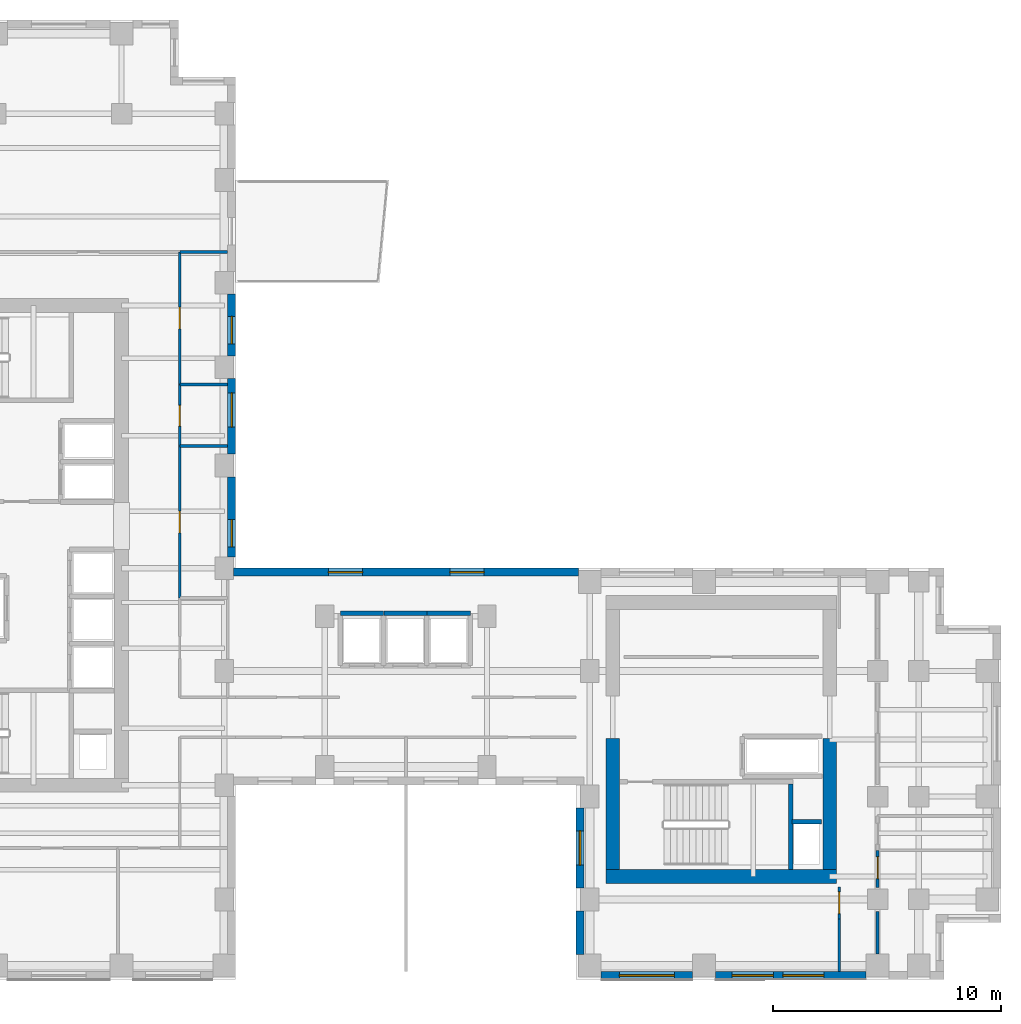
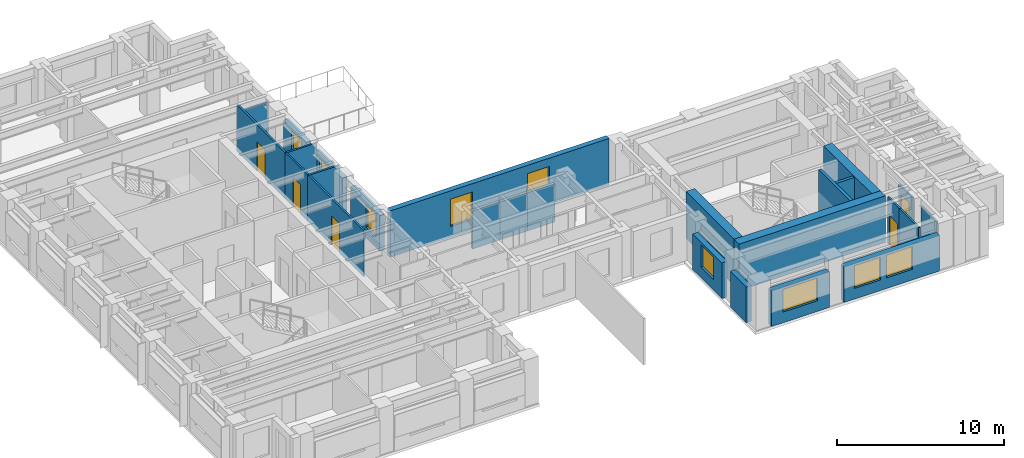
# One storey, part 6 of 10: 26 walls, 9 windows, 5 doors, 14 openings.
"""IFC4 building model written with IfcOpenShell, lengths in metres."""

from ifc_helpers import new_model, si_unit, direction, frame, frame_2d, origin, place, context, subcontext, project, spatial, rectangle, extrude, source, transform, mapped, material, layer, layer_set, type_object, element, fill, save


model = new_model("IFC4")

# Units and contexts
model_context = context("Model", 3, precision=1e-05, world=origin(), true_north=direction((0.0, 1.0)))
body_context = subcontext(model_context, "Body", "Model", "MODEL_VIEW")
ifc_project = project(units=[si_unit("LENGTHUNIT", "METRE"), si_unit("AREAUNIT", "SQUARE_METRE"), si_unit("VOLUMEUNIT", "CUBIC_METRE"), si_unit("PLANEANGLEUNIT", "RADIAN"), si_unit("MASSUNIT", "GRAM", prefix="KILO")], contexts=[model_context])

# Site, building, storey
site_placement = place(None, origin())
site = spatial("IfcSite", under=ifc_project, at=site_placement, CompositionType="ELEMENT")
building_placement = place(site_placement, origin())
building = spatial("IfcBuilding", under=site, at=building_placement, Name="Kharzan Plaza Tower", CompositionType="ELEMENT")
storey_placement = place(building_placement, frame((0.0, 0.0, 157.5)))
storey = spatial("IfcBuildingStorey", under=building, at=storey_placement, Name="L42", CompositionType="ELEMENT", Elevation=157.5)

# Wall, opening, window
ifc_material_1 = material(Name="Concrete C40/50", Category="concrete")
ifc_layer_1 = layer(ifc_material_1, 0.35009765625)
ifc_layer_set_1 = layer_set([ifc_layer_1], Name="Concrete C40/50")
wall_type_1 = type_object("IfcWallType", Name="WL-EXT-MAS-Z3", PredefinedType="SOLIDWALL", material=ifc_layer_set_1)
wall_1_placement = place(storey_placement, frame((34.574951171875, 7.501953125, 0.0), z_axis=(0.0, 0.0, 1.0), x_axis=(0.0, -1.0, 0.0)))
wall_1 = element("IfcWall", 1, at=wall_1_placement, inside=storey, type_object=wall_type_1, Name="L42 Masonry-Frame Exterior Wall 29", PredefinedType="SOLIDWALL", context=body_context, shape_type="SweptSolid", body=[
    extrude(rectangle(XDim=3.50390625, YDim=0.35009765625, at=frame_2d((1.751953125, 0.0))), origin(), (0.0, 0.0, 1.0), 2.612060546875),
])
opening_1_placement = place(wall_1_placement, frame((1.001953125, 0.0, 0.780029296875)))
opening_1 = element("IfcOpeningElement", 2, at=opening_1_placement, cuts=wall_1, Name="Opening W5", PredefinedType="OPENING", context=body_context, shape_type="SweptSolid", body=[
    extrude(rectangle(XDim=1.5, YDim=1.652099609375, at=frame_2d((0.75, 0.826171875))), frame((0.0, 0.18505859375, 0.0), z_axis=(0.0, -1.0, 0.0), x_axis=(1.0, 0.0, 0.0)), (0.0, 0.0, 1.0), 0.3701171875),
])
ifc_material_2 = material(Name="Low-E Double Glazing", Category="glass")
window_type_1 = type_object("IfcWindowType", Name="WN-SLT-1500x2000", PartitioningType="SINGLE_PANEL", PredefinedType="WINDOW", material=ifc_material_2)
shared_shape_1 = source(origin(), body_context, "Body", "SweptSolid", [
    extrude(rectangle(XDim=1.5, YDim=1.652099609375, at=frame_2d((0.75, 0.826171875))), frame((0.0, 0.030029296875, 0.0), z_axis=(0.0, -1.0, 0.0), x_axis=(1.0, 0.0, 0.0)), (0.0, 0.0, 1.0), 0.06005859375),
])
window_1_placement = place(opening_1_placement, origin())
window_1 = element("IfcWindow", 3, at=window_1_placement, inside=storey, type_object=window_type_1, Name="L42 Recessed Solar-Control Window 29-1", OverallHeight=1.652099609375, OverallWidth=1.5, PartitioningType="SINGLE_PANEL", PredefinedType="WINDOW", context=body_context, shape_type="MappedRepresentation", body=[
    mapped(shared_shape_1, transform((0.0, 0.0, 0.0), x_axis=(1.0, 0.0, 0.0), y_axis=(0.0, 1.0, 0.0), z_axis=(0.0, 0.0, 1.0))),
])
fill(opening_1, window_1)

wall_2_placement = place(storey_placement, frame((35.498046875, 0.175048828125, 0.0), z_axis=(0.0, 0.0, 1.0), x_axis=(1.0, 0.0, 0.0)))
wall_2 = element("IfcWall", 4, at=wall_2_placement, inside=storey, type_object=wall_type_1, Name="L42 Masonry-Frame Exterior Wall 31", PredefinedType="SOLIDWALL", context=body_context, shape_type="SweptSolid", body=[
    extrude(rectangle(XDim=4.00390625, YDim=0.35009765625, at=frame_2d((2.001953125, 0.0))), origin(), (0.0, 0.0, 1.0), 2.612060546875),
])
opening_2_placement = place(wall_2_placement, frame((0.802001953125, 0.0, 0.780029296875)))
opening_2 = element("IfcOpeningElement", 5, at=opening_2_placement, cuts=wall_2, Name="Opening W2", PredefinedType="OPENING", context=body_context, shape_type="SweptSolid", body=[
    extrude(rectangle(XDim=2.39990234375, YDim=1.652099609375, at=frame_2d((1.199951171875, 0.826171875))), frame((0.0, 0.18505859375, 0.0), z_axis=(0.0, -1.0, 0.0), x_axis=(1.0, 0.0, 0.0)), (0.0, 0.0, 1.0), 0.3701171875),
])
window_type_2 = type_object("IfcWindowType", Name="WN-REC-2400x2100", PartitioningType="SINGLE_PANEL", PredefinedType="WINDOW", material=ifc_material_2)
shared_shape_2 = source(origin(), body_context, "Body", "SweptSolid", [
    extrude(rectangle(XDim=2.39990234375, YDim=1.652099609375, at=frame_2d((1.199951171875, 0.826171875))), frame((0.0, 0.030029296875, 0.0), z_axis=(0.0, -1.0, 0.0), x_axis=(1.0, 0.0, 0.0)), (0.0, 0.0, 1.0), 0.06005859375),
])
window_2_placement = place(opening_2_placement, origin())
window_2 = element("IfcWindow", 6, at=window_2_placement, inside=storey, type_object=window_type_2, Name="L42 Wide Recessed Solar-Control Window 31-1", OverallHeight=1.652099609375, OverallWidth=2.39990234375, PartitioningType="SINGLE_PANEL", PredefinedType="WINDOW", context=body_context, shape_type="MappedRepresentation", body=[
    mapped(shared_shape_2, transform((0.0, 0.0, 0.0), x_axis=(1.0, 0.0, 0.0), y_axis=(0.0, 1.0, 0.0), z_axis=(0.0, 0.0, 1.0))),
])
fill(opening_2, window_2)

# Wall, openings, windows
wall_3_placement = place(storey_placement, frame((40.498046875, 0.175048828125, 0.0), z_axis=(0.0, 0.0, 1.0), x_axis=(1.0, 0.0, 0.0)))
wall_3 = element("IfcWall", 7, at=wall_3_placement, inside=storey, type_object=wall_type_1, Name="L42 Masonry-Frame Exterior Wall 32", PredefinedType="SOLIDWALL", context=body_context, shape_type="SweptSolid", body=[
    extrude(rectangle(XDim=6.60400390625, YDim=0.35009765625, at=frame_2d((3.302001953125, 0.0))), origin(), (0.0, 0.0, 1.0), 2.612060546875),
])
opening_3_placement = place(wall_3_placement, frame((0.7373046875, 0.0, 0.780029296875)))
opening_3 = element("IfcOpeningElement", 8, at=opening_3_placement, cuts=wall_3, Name="Opening W1", PredefinedType="OPENING", context=body_context, shape_type="SweptSolid", body=[
    extrude(rectangle(XDim=1.800048828125, YDim=1.652099609375, at=frame_2d((0.89990234375, 0.826171875))), frame((0.0, 0.18505859375, 0.0), z_axis=(0.0, -1.0, 0.0), x_axis=(1.0, 0.0, 0.0)), (0.0, 0.0, 1.0), 0.3701171875),
])
opening_4_placement = place(wall_3_placement, frame((2.95458984375, 0.0, 0.780029296875)))
opening_4 = element("IfcOpeningElement", 9, at=opening_4_placement, cuts=wall_3, Name="Opening W1", PredefinedType="OPENING", context=body_context, shape_type="SweptSolid", body=[
    extrude(rectangle(XDim=1.800048828125, YDim=1.652099609375, at=frame_2d((0.89990234375, 0.826171875))), frame((0.0, 0.18505859375, 0.0), z_axis=(0.0, -1.0, 0.0), x_axis=(1.0, 0.0, 0.0)), (0.0, 0.0, 1.0), 0.3701171875),
])
window_type_3 = type_object("IfcWindowType", Name="WN-REC-1800x2100", PartitioningType="SINGLE_PANEL", PredefinedType="WINDOW", material=ifc_material_2)
shared_shape_3 = source(origin(), body_context, "Body", "SweptSolid", [
    extrude(rectangle(XDim=1.800048828125, YDim=1.652099609375, at=frame_2d((0.89990234375, 0.826171875))), frame((0.0, 0.030029296875, 0.0), z_axis=(0.0, -1.0, 0.0), x_axis=(1.0, 0.0, 0.0)), (0.0, 0.0, 1.0), 0.06005859375),
])
window_3_placement = place(opening_3_placement, origin())
window_3 = element("IfcWindow", 10, at=window_3_placement, inside=storey, type_object=window_type_3, Name="L42 Recessed Solar-Control Window 32-1", OverallHeight=1.652099609375, OverallWidth=1.800048828125, PartitioningType="SINGLE_PANEL", PredefinedType="WINDOW", context=body_context, shape_type="MappedRepresentation", body=[
    mapped(shared_shape_3, transform((0.0, 0.0, 0.0), x_axis=(1.0, 0.0, 0.0), y_axis=(0.0, 1.0, 0.0), z_axis=(0.0, 0.0, 1.0))),
])
fill(opening_3, window_3)
window_4_placement = place(opening_4_placement, origin())
window_4 = element("IfcWindow", 11, at=window_4_placement, inside=storey, type_object=window_type_3, Name="L42 Recessed Solar-Control Window 32-2", OverallHeight=1.652099609375, OverallWidth=1.800048828125, PartitioningType="SINGLE_PANEL", PredefinedType="WINDOW", context=body_context, shape_type="MappedRepresentation", body=[
    mapped(shared_shape_3, transform((0.0, 0.0, 0.0), x_axis=(1.0, 0.0, 0.0), y_axis=(0.0, 1.0, 0.0), z_axis=(0.0, 0.0, 1.0))),
])
fill(opening_4, window_4)

wall_4_placement = place(storey_placement, frame((34.501953125, 17.824951171875, 0.0), z_axis=(0.0, 0.0, 1.0), x_axis=(-1.0, 0.0, 0.0)))
wall_4 = element("IfcWall", 12, at=wall_4_placement, inside=storey, type_object=wall_type_1, Name="L42 Masonry-Frame Exterior Wall 46", PredefinedType="SOLIDWALL", context=body_context, shape_type="SweptSolid", body=[
    extrude(rectangle(XDim=15.10400390625, YDim=0.35009765625, at=frame_2d((7.552001953125, 0.0))), origin(), (0.0, 0.0, 1.0), 3.385009765625),
])
opening_5_placement = place(wall_4_placement, frame((4.131103515625, 0.0, 0.780029296875)))
opening_5 = element("IfcOpeningElement", 13, at=opening_5_placement, cuts=wall_4, Name="Opening W5", PredefinedType="OPENING", context=body_context, shape_type="SweptSolid", body=[
    extrude(rectangle(XDim=1.5, YDim=2.0, at=frame_2d((0.75, 1.0))), frame((0.0, 0.18505859375, 0.0), z_axis=(0.0, -1.0, 0.0), x_axis=(1.0, 0.0, 0.0)), (0.0, 0.0, 1.0), 0.3701171875),
])
opening_6_placement = place(wall_4_placement, frame((9.4423828125, 0.0, 0.780029296875)))
opening_6 = element("IfcOpeningElement", 14, at=opening_6_placement, cuts=wall_4, Name="Opening W5", PredefinedType="OPENING", context=body_context, shape_type="SweptSolid", body=[
    extrude(rectangle(XDim=1.5, YDim=2.0, at=frame_2d((0.75, 1.0))), frame((0.0, 0.18505859375, 0.0), z_axis=(0.0, -1.0, 0.0), x_axis=(1.0, 0.0, 0.0)), (0.0, 0.0, 1.0), 0.3701171875),
])
shared_shape_4 = source(origin(), body_context, "Body", "SweptSolid", [
    extrude(rectangle(XDim=1.5, YDim=2.0, at=frame_2d((0.75, 1.0))), frame((0.0, 0.030029296875, 0.0), z_axis=(0.0, -1.0, 0.0), x_axis=(1.0, 0.0, 0.0)), (0.0, 0.0, 1.0), 0.06005859375),
])
window_5_placement = place(opening_5_placement, origin())
window_5 = element("IfcWindow", 15, at=window_5_placement, inside=storey, type_object=window_type_1, Name="L42 Recessed Solar-Control Window 46-1", OverallHeight=2.0, OverallWidth=1.5, PartitioningType="SINGLE_PANEL", PredefinedType="WINDOW", context=body_context, shape_type="MappedRepresentation", body=[
    mapped(shared_shape_4, transform((0.0, 0.0, 0.0), x_axis=(1.0, 0.0, 0.0), y_axis=(0.0, 1.0, 0.0), z_axis=(0.0, 0.0, 1.0))),
])
fill(opening_5, window_5)
window_6_placement = place(opening_6_placement, origin())
window_6 = element("IfcWindow", 16, at=window_6_placement, inside=storey, type_object=window_type_1, Name="L42 Recessed Solar-Control Window 46-2", OverallHeight=2.0, OverallWidth=1.5, PartitioningType="SINGLE_PANEL", PredefinedType="WINDOW", context=body_context, shape_type="MappedRepresentation", body=[
    mapped(shared_shape_4, transform((0.0, 0.0, 0.0), x_axis=(1.0, 0.0, 0.0), y_axis=(0.0, 1.0, 0.0), z_axis=(0.0, 0.0, 1.0))),
])
fill(opening_6, window_6)

# Wall, opening, window
wall_5_placement = place(storey_placement, frame((19.324951171875, 18.498046875, 0.0), z_axis=(0.0, 0.0, 1.0), x_axis=(0.0, 1.0, 0.0)))
wall_5 = element("IfcWall", 17, at=wall_5_placement, inside=storey, type_object=wall_type_1, Name="L42 Masonry-Frame Exterior Wall 47", PredefinedType="SOLIDWALL", context=body_context, shape_type="SweptSolid", body=[
    extrude(rectangle(XDim=3.50390625, YDim=0.35009765625, at=frame_2d((1.751953125, 0.0))), origin(), (0.0, 0.0, 1.0), 2.612060546875),
])
opening_7_placement = place(wall_5_placement, frame((0.4326171875, 0.0, 0.780029296875)))
opening_7 = element("IfcOpeningElement", 18, at=opening_7_placement, cuts=wall_5, Name="Opening W3", PredefinedType="OPENING", context=body_context, shape_type="SweptSolid", body=[
    extrude(rectangle(XDim=1.199951171875, YDim=1.652099609375, at=frame_2d((0.60009765625, 0.826171875))), frame((0.0, 0.18505859375, 0.0), z_axis=(0.0, -1.0, 0.0), x_axis=(1.0, 0.0, 0.0)), (0.0, 0.0, 1.0), 0.3701171875),
])
window_type_4 = type_object("IfcWindowType", Name="WN-REC-1200x2100", PartitioningType="SINGLE_PANEL", PredefinedType="WINDOW", material=ifc_material_2)
shared_shape_5 = source(origin(), body_context, "Body", "SweptSolid", [
    extrude(rectangle(XDim=1.199951171875, YDim=1.652099609375, at=frame_2d((0.60009765625, 0.826171875))), frame((0.0, 0.030029296875, 0.0), z_axis=(0.0, -1.0, 0.0), x_axis=(1.0, 0.0, 0.0)), (0.0, 0.0, 1.0), 0.06005859375),
])
window_7_placement = place(opening_7_placement, origin())
window_7 = element("IfcWindow", 19, at=window_7_placement, inside=storey, type_object=window_type_4, Name="L42 Recessed Solar-Control Window 47-1", OverallHeight=1.652099609375, OverallWidth=1.199951171875, PartitioningType="SINGLE_PANEL", PredefinedType="WINDOW", context=body_context, shape_type="MappedRepresentation", body=[
    mapped(shared_shape_5, transform((0.0, 0.0, 0.0), x_axis=(1.0, 0.0, 0.0), y_axis=(0.0, 1.0, 0.0), z_axis=(0.0, 0.0, 1.0))),
])
fill(opening_7, window_7)

wall_6_placement = place(storey_placement, frame((19.324951171875, 22.998046875, 0.0), z_axis=(0.0, 0.0, 1.0), x_axis=(0.0, 1.0, 0.0)))
wall_6 = element("IfcWall", 20, at=wall_6_placement, inside=storey, type_object=wall_type_1, Name="L42 Masonry-Frame Exterior Wall 48", PredefinedType="SOLIDWALL", context=body_context, shape_type="SweptSolid", body=[
    extrude(rectangle(XDim=3.303955078125, YDim=0.35009765625, at=frame_2d((1.65185546875, 0.0))), origin(), (0.0, 0.0, 1.0), 2.612060546875),
])
opening_8_placement = place(wall_6_placement, frame((1.180419921875, 0.0, 0.780029296875)))
opening_8 = element("IfcOpeningElement", 21, at=opening_8_placement, cuts=wall_6, Name="Opening W5", PredefinedType="OPENING", context=body_context, shape_type="SweptSolid", body=[
    extrude(rectangle(XDim=1.5, YDim=1.652099609375, at=frame_2d((0.75, 0.826171875))), frame((0.0, 0.18505859375, 0.0), z_axis=(0.0, -1.0, 0.0), x_axis=(1.0, 0.0, 0.0)), (0.0, 0.0, 1.0), 0.3701171875),
])
window_8_placement = place(opening_8_placement, origin())
window_8 = element("IfcWindow", 22, at=window_8_placement, inside=storey, type_object=window_type_1, Name="L42 Recessed Solar-Control Window 48-1", OverallHeight=1.652099609375, OverallWidth=1.5, PartitioningType="SINGLE_PANEL", PredefinedType="WINDOW", context=body_context, shape_type="MappedRepresentation", body=[
    mapped(shared_shape_1, transform((0.0, 0.0, 0.0), x_axis=(1.0, 0.0, 0.0), y_axis=(0.0, 1.0, 0.0), z_axis=(0.0, 0.0, 1.0))),
])
fill(opening_8, window_8)

wall_7_placement = place(storey_placement, frame((19.324951171875, 27.298095703125, 0.0), z_axis=(0.0, 0.0, 1.0), x_axis=(0.0, 1.0, 0.0)))
wall_7 = element("IfcWall", 23, at=wall_7_placement, inside=storey, type_object=wall_type_1, Name="L42 Masonry-Frame Exterior Wall 49", PredefinedType="SOLIDWALL", context=body_context, shape_type="SweptSolid", body=[
    extrude(rectangle(XDim=2.703857421875, YDim=0.35009765625, at=frame_2d((1.35205078125, 0.0))), origin(), (0.0, 0.0, 1.0), 2.612060546875),
])
opening_9_placement = place(wall_7_placement, frame((0.523681640625, 0.0, 0.780029296875)))
opening_9 = element("IfcOpeningElement", 24, at=opening_9_placement, cuts=wall_7, Name="Opening W3", PredefinedType="OPENING", context=body_context, shape_type="SweptSolid", body=[
    extrude(rectangle(XDim=1.199951171875, YDim=1.652099609375, at=frame_2d((0.60009765625, 0.826171875))), frame((0.0, 0.18505859375, 0.0), z_axis=(0.0, -1.0, 0.0), x_axis=(1.0, 0.0, 0.0)), (0.0, 0.0, 1.0), 0.3701171875),
])
window_9_placement = place(opening_9_placement, origin())
window_9 = element("IfcWindow", 25, at=window_9_placement, inside=storey, type_object=window_type_4, Name="L42 Recessed Solar-Control Window 49-1", OverallHeight=1.652099609375, OverallWidth=1.199951171875, PartitioningType="SINGLE_PANEL", PredefinedType="WINDOW", context=body_context, shape_type="MappedRepresentation", body=[
    mapped(shared_shape_5, transform((0.0, 0.0, 0.0), x_axis=(1.0, 0.0, 0.0), y_axis=(0.0, 1.0, 0.0), z_axis=(0.0, 0.0, 1.0))),
])
fill(opening_9, window_9)

# Wall, opening, door
ifc_material_3 = material(Name="Fire-Rated Gypsum Board Partition", Category="gypsum")
ifc_layer_2 = layer(ifc_material_3, 0.125)
ifc_layer_set_2 = layer_set([ifc_layer_2], Name="Fire-Rated Gypsum Board Partition")
wall_type_2 = type_object("IfcWallType", Name="WL-INT-PART-125", PredefinedType="PARTITIONING", material=ifc_layer_set_2)
wall_8_placement = place(storey_placement, frame((17.050048828125, 16.699951171875, 0.0), z_axis=(0.0, 0.0, 1.0), x_axis=(0.0, 1.0, 0.0)))
wall_8 = element("IfcWall", 26, at=wall_8_placement, inside=storey, type_object=wall_type_2, Name="L42 Interior Partition SH-AEWN2", PredefinedType="PARTITIONING", context=body_context, shape_type="SweptSolid", body=[
    extrude(rectangle(XDim=6.650146484375, YDim=0.125, at=frame_2d((3.3251953125, 0.0))), origin(), (0.0, 0.0, 1.0), 3.385009765625),
])
opening_10_placement = place(wall_8_placement, frame((2.85009765625, 0.0, 0.0)))
opening_10 = element("IfcOpeningElement", 27, at=opening_10_placement, cuts=wall_8, Name="Opening OD1", PredefinedType="OPENING", context=body_context, shape_type="SweptSolid", body=[
    extrude(rectangle(XDim=0.949951171875, YDim=2.14990234375, at=frame_2d((0.47509765625, 1.074951171875))), frame((0.0, 0.072509765625, 0.0), z_axis=(0.0, -1.0, 0.0), x_axis=(1.0, 0.0, 0.0)), (0.0, 0.0, 1.0), 0.14501953125),
])
ifc_material_4 = material(Name="Acoustic Solid-Core Stained Oak", Category="timber")
door_type_1 = type_object("IfcDoorType", Name="DR-OFF-SINGLE", OperationType="NOTDEFINED", PredefinedType="DOOR", material=ifc_material_4)
shared_shape_6 = source(origin(), body_context, "Body", "SweptSolid", [
    extrude(rectangle(XDim=0.949951171875, YDim=2.14990234375, at=frame_2d((0.47509765625, 1.074951171875))), frame((0.0, 0.02490234375, 0.0), z_axis=(0.0, -1.0, 0.0), x_axis=(1.0, 0.0, 0.0)), (0.0, 0.0, 1.0), 0.050048828125),
])
door_1_placement = place(opening_10_placement, origin())
door_1 = element("IfcDoor", 28, at=door_1_placement, inside=storey, type_object=door_type_1, Name="L42 Slot Studio Door", OperationType="SINGLE_SWING_RIGHT", OverallHeight=2.14990234375, OverallWidth=0.949951171875, PredefinedType="DOOR", context=body_context, shape_type="MappedRepresentation", body=[
    mapped(shared_shape_6, transform((0.0, 0.0, 0.0), x_axis=(1.0, 0.0, 0.0), y_axis=(0.0, 1.0, 0.0), z_axis=(0.0, 0.0, 1.0))),
])
fill(opening_10, door_1)

wall_9_placement = place(storey_placement, frame((17.050048828125, 26.050048828125, 0.0), z_axis=(0.0, 0.0, 1.0), x_axis=(0.0, 1.0, 0.0)))
wall_9 = element("IfcWall", 29, at=wall_9_placement, inside=storey, type_object=wall_type_2, Name="L42 Interior Partition SH-AEWN3", PredefinedType="PARTITIONING", context=body_context, shape_type="SweptSolid", body=[
    extrude(rectangle(XDim=5.800048828125, YDim=0.125, at=frame_2d((2.89990234375, 0.0))), origin(), (0.0, 0.0, 1.0), 3.385009765625),
])
opening_11_placement = place(wall_9_placement, frame((2.425048828125, 0.0, 0.0)))
opening_11 = element("IfcOpeningElement", 30, at=opening_11_placement, cuts=wall_9, Name="Opening OD1", PredefinedType="OPENING", context=body_context, shape_type="SweptSolid", body=[
    extrude(rectangle(XDim=0.949951171875, YDim=2.14990234375, at=frame_2d((0.47509765625, 1.074951171875))), frame((0.0, 0.072509765625, 0.0), z_axis=(0.0, -1.0, 0.0), x_axis=(1.0, 0.0, 0.0)), (0.0, 0.0, 1.0), 0.14501953125),
])
door_2_placement = place(opening_11_placement, origin())
door_2 = element("IfcDoor", 31, at=door_2_placement, inside=storey, type_object=door_type_1, Name="L42 Staff Tea Point Door", OperationType="SINGLE_SWING_RIGHT", OverallHeight=2.14990234375, OverallWidth=0.949951171875, PredefinedType="DOOR", context=body_context, shape_type="MappedRepresentation", body=[
    mapped(shared_shape_6, transform((0.0, 0.0, 0.0), x_axis=(1.0, 0.0, 0.0), y_axis=(0.0, 1.0, 0.0), z_axis=(0.0, 0.0, 1.0))),
])
fill(opening_11, door_2)

wall_10_placement = place(storey_placement, frame((17.050048828125, 23.35009765625, 0.0), z_axis=(0.0, 0.0, 1.0), x_axis=(0.0, 1.0, 0.0)))
wall_10 = element("IfcWall", 32, at=wall_10_placement, inside=storey, type_object=wall_type_2, Name="L42 Interior Partition SH-AEWW", PredefinedType="PARTITIONING", context=body_context, shape_type="SweptSolid", body=[
    extrude(rectangle(XDim=2.699951171875, YDim=0.125, at=frame_2d((1.35009765625, 0.0))), origin(), (0.0, 0.0, 1.0), 3.385009765625),
])
opening_12_placement = place(wall_10_placement, frame((0.875, 0.0, 0.0)))
opening_12 = element("IfcOpeningElement", 33, at=opening_12_placement, cuts=wall_10, Name="Opening WD1", PredefinedType="OPENING", context=body_context, shape_type="SweptSolid", body=[
    extrude(rectangle(XDim=0.89990234375, YDim=2.14990234375, at=frame_2d((0.449951171875, 1.074951171875))), frame((0.0, 0.072509765625, 0.0), z_axis=(0.0, -1.0, 0.0), x_axis=(1.0, 0.0, 0.0)), (0.0, 0.0, 1.0), 0.14501953125),
])
ifc_material_5 = material(Name="Moisture-Resistant Fire-Rated Laminate", Category="timber")
door_type_2 = type_object("IfcDoorType", Name="DR-WC-900", OperationType="NOTDEFINED", PredefinedType="DOOR", material=ifc_material_5)
shared_shape_7 = source(origin(), body_context, "Body", "SweptSolid", [
    extrude(rectangle(XDim=0.89990234375, YDim=2.14990234375, at=frame_2d((0.449951171875, 1.074951171875))), frame((0.0, 0.02490234375, 0.0), z_axis=(0.0, -1.0, 0.0), x_axis=(1.0, 0.0, 0.0)), (0.0, 0.0, 1.0), 0.050048828125),
])
door_3_placement = place(opening_12_placement, origin())
door_3 = element("IfcDoor", 34, at=door_3_placement, inside=storey, type_object=door_type_2, Name="L42 Wing A Washroom Door", OperationType="SINGLE_SWING_LEFT", OverallHeight=2.14990234375, OverallWidth=0.89990234375, PredefinedType="DOOR", context=body_context, shape_type="MappedRepresentation", body=[
    mapped(shared_shape_7, transform((0.0, 0.0, 0.0), x_axis=(1.0, 0.0, 0.0), y_axis=(0.0, 1.0, 0.0), z_axis=(0.0, 0.0, 1.0))),
])
fill(opening_12, door_3)

wall_11_placement = place(storey_placement, frame((47.60009765625, 4.02001953125, 0.0), z_axis=(0.0, 0.0, 1.0), x_axis=(0.0, 1.0, 0.0)))
wall_11 = element("IfcWall", 35, at=wall_11_placement, inside=storey, type_object=wall_type_2, Name="L42 Interior Partition SH-B0W0", PredefinedType="PARTITIONING", context=body_context, shape_type="SweptSolid", body=[
    extrude(rectangle(XDim=1.6298828125, YDim=0.125, at=frame_2d((0.81494140625, 0.0))), origin(), (0.0, 0.0, 1.0), 2.77294921875),
])
opening_13_placement = place(wall_11_placement, frame((0.393310546875, 0.0, 0.0)))
opening_13 = element("IfcOpeningElement", 36, at=opening_13_placement, cuts=wall_11, Name="Opening OD1", PredefinedType="OPENING", context=body_context, shape_type="SweptSolid", body=[
    extrude(rectangle(XDim=0.949951171875, YDim=2.14990234375, at=frame_2d((0.47509765625, 1.074951171875))), frame((0.0, 0.072509765625, 0.0), z_axis=(0.0, -1.0, 0.0), x_axis=(1.0, 0.0, 0.0)), (0.0, 0.0, 1.0), 0.14501953125),
])
door_4_placement = place(opening_13_placement, origin())
door_4 = element("IfcDoor", 37, at=door_4_placement, inside=storey, type_object=door_type_1, Name="L42 Wing B South Office Door", OperationType="SINGLE_SWING_RIGHT", OverallHeight=2.14990234375, OverallWidth=0.949951171875, PredefinedType="DOOR", context=body_context, shape_type="MappedRepresentation", body=[
    mapped(shared_shape_6, transform((0.0, 0.0, 0.0), x_axis=(1.0, 0.0, 0.0), y_axis=(0.0, 1.0, 0.0), z_axis=(0.0, 0.0, 1.0))),
])
fill(opening_13, door_4)

wall_12_placement = place(storey_placement, frame((45.919921875, 2.64990234375, 0.0), z_axis=(0.0, 0.0, 1.0), x_axis=(0.0, 1.0, 0.0)))
wall_12 = element("IfcWall", 38, at=wall_12_placement, inside=storey, type_object=wall_type_2, Name="L42 Interior Partition SH-RBSE", PredefinedType="PARTITIONING", context=body_context, shape_type="SweptSolid", body=[
    extrude(rectangle(XDim=1.400146484375, YDim=0.125, at=frame_2d((0.7001953125, 0.0))), origin(), (0.0, 0.0, 1.0), 3.385009765625),
])
opening_14_placement = place(wall_12_placement, frame((0.22509765625, 0.0, 0.0)))
opening_14 = element("IfcOpeningElement", 39, at=opening_14_placement, cuts=wall_12, Name="Opening OD1", PredefinedType="OPENING", context=body_context, shape_type="SweptSolid", body=[
    extrude(rectangle(XDim=0.949951171875, YDim=2.14990234375, at=frame_2d((0.47509765625, 1.074951171875))), frame((0.0, 0.072509765625, 0.0), z_axis=(0.0, -1.0, 0.0), x_axis=(1.0, 0.0, 0.0)), (0.0, 0.0, 1.0), 0.14501953125),
])
door_5_placement = place(opening_14_placement, origin())
door_5 = element("IfcDoor", 40, at=door_5_placement, inside=storey, type_object=door_type_1, Name="L42 South-East Corner Office Door", OperationType="SINGLE_SWING_LEFT", OverallHeight=2.14990234375, OverallWidth=0.949951171875, PredefinedType="DOOR", context=body_context, shape_type="MappedRepresentation", body=[
    mapped(shared_shape_6, transform((0.0, 0.0, 0.0), x_axis=(1.0, 0.0, 0.0), y_axis=(0.0, 1.0, 0.0), z_axis=(0.0, 0.0, 1.0))),
])
fill(opening_14, door_5)

# Walls
ifc_material_6 = material(Name="Concrete C50/60", Category="concrete")
ifc_layer_3 = layer(ifc_material_6, 0.60009765625)
ifc_layer_set_3 = layer_set([ifc_layer_3], Name="Concrete C50/60")
wall_type_3 = type_object("IfcWallType", Name="WL-CORE-600", PredefinedType="SHEAR", material=ifc_layer_set_3)
shared_shape_8 = source(origin(), body_context, "Body", "SweptSolid", [
    extrude(rectangle(XDim=5.75, YDim=0.60009765625, at=frame_2d((2.875, 0.0))), origin(), (0.0, 0.0, 1.0), 3.39990234375),
])
for number, where, z_axis, x_axis, name in (
    (41, (45.5, 4.800048828125, 0.0), (0.0, 0.0, 1.0), (0.0, 1.0, 0.0), "L42 CORE-B east shear pier 1"),
    (42, (36.0, 4.800048828125, 0.0), (0.0, 0.0, 1.0), (0.0, 1.0, 0.0), "L42 CORE-B west shear pier 1"),
):
    element("IfcWall", number, at=place(storey_placement, frame(where, z_axis=z_axis, x_axis=x_axis)), inside=storey, type_object=wall_type_3, Name=name, PredefinedType="SHEAR", context=body_context, shape_type="MappedRepresentation", body=[
        mapped(shared_shape_8, transform((0.0, 0.0, 0.0), x_axis=(1.0, 0.0, 0.0), y_axis=(0.0, 1.0, 0.0), z_axis=(0.0, 0.0, 1.0))),
    ])
shared_shape_9 = source(origin(), body_context, "Body", "SweptSolid", [
    extrude(rectangle(XDim=10.10009765625, YDim=0.60009765625, at=frame_2d((5.050048828125, 0.0))), origin(), (0.0, 0.0, 1.0), 3.39990234375),
])
wall_13_placement = place(storey_placement, frame((35.699951171875, 4.5, 0.0), z_axis=(0.0, 0.0, 1.0), x_axis=(1.0, 0.0, 0.0)))
element("IfcWall", 43, at=wall_13_placement, inside=storey, type_object=wall_type_3, Name="L42 CORE-B south RC shear wall", PredefinedType="SHEAR", context=body_context, shape_type="MappedRepresentation", body=[
    mapped(shared_shape_9, transform((0.0, 0.0, 0.0), x_axis=(1.0, 0.0, 0.0), y_axis=(0.0, 1.0, 0.0), z_axis=(0.0, 0.0, 1.0))),
])
shared_shape_10 = source(origin(), body_context, "Body", "SweptSolid", [
    extrude(rectangle(XDim=2.097900390625, YDim=0.125, at=frame_2d((1.048828125, 0.0))), origin(), (0.0, 0.0, 1.0), 3.385009765625),
])
for number, where, z_axis, x_axis, name in (
    (44, (17.050048828125, 23.35009765625, 0.0), (0.0, 0.0, 1.0), (1.0, 0.0, 0.0), "L42 Interior Partition SH-AEH-233"),
    (45, (17.050048828125, 26.050048828125, 0.0), (0.0, 0.0, 1.0), (1.0, 0.0, 0.0), "L42 Interior Partition SH-AEH-260"),
):
    element("IfcWall", number, at=place(storey_placement, frame(where, z_axis=z_axis, x_axis=x_axis)), inside=storey, type_object=wall_type_2, Name=name, PredefinedType="PARTITIONING", context=body_context, shape_type="MappedRepresentation", body=[
        mapped(shared_shape_10, transform((0.0, 0.0, 0.0), x_axis=(1.0, 0.0, 0.0), y_axis=(0.0, 1.0, 0.0), z_axis=(0.0, 0.0, 1.0))),
    ])
shared_shape_11 = source(origin(), body_context, "Body", "SweptSolid", [
    extrude(rectangle(XDim=2.2978515625, YDim=0.125, at=frame_2d((1.14892578125, 0.0))), origin(), (0.0, 0.0, 1.0), 3.385009765625),
])
wall_14_placement = place(storey_placement, frame((45.919921875, 0.35205078125, 0.0), z_axis=(0.0, 0.0, 1.0), x_axis=(0.0, 1.0, 0.0)))
element("IfcWall", 46, at=wall_14_placement, inside=storey, type_object=wall_type_2, Name="L42 Interior Partition SH-RBSE0", PredefinedType="PARTITIONING", context=body_context, shape_type="MappedRepresentation", body=[
    mapped(shared_shape_11, transform((0.0, 0.0, 0.0), x_axis=(1.0, 0.0, 0.0), y_axis=(0.0, 1.0, 0.0), z_axis=(0.0, 0.0, 1.0))),
])
shared_shape_12 = source(origin(), body_context, "Body", "SweptSolid", [
    extrude(rectangle(XDim=2.097900390625, YDim=0.125, at=frame_2d((1.048828125, 0.0))), origin(), (0.0, 0.0, 1.0), 2.847900390625),
])
wall_15_placement = place(storey_placement, frame((17.050048828125, 31.85009765625, 0.0), z_axis=(0.0, 0.0, 1.0), x_axis=(1.0, 0.0, 0.0)))
element("IfcWall", 47, at=wall_15_placement, inside=storey, type_object=wall_type_2, Name="L42 Interior Partition SH-NNE0", PredefinedType="PARTITIONING", context=body_context, shape_type="MappedRepresentation", body=[
    mapped(shared_shape_12, transform((0.0, 0.0, 0.0), x_axis=(1.0, 0.0, 0.0), y_axis=(0.0, 1.0, 0.0), z_axis=(0.0, 0.0, 1.0))),
])
ifc_layer_4 = layer(ifc_material_1, 0.199951171875)
ifc_layer_set_4 = layer_set([ifc_layer_4], Name="Concrete C40/50")
wall_type_4 = type_object("IfcWallType", Name="WL-INT-SHAFT-200", PredefinedType="PARTITIONING", material=ifc_layer_set_4)
shared_shape_13 = source(origin(), body_context, "Body", "SweptSolid", [
    extrude(rectangle(XDim=1.2998046875, YDim=0.199951171875, at=frame_2d((0.64990234375, 0.0))), origin(), (0.0, 0.0, 1.0), 3.385009765625),
])
wall_16_placement = place(storey_placement, frame((43.85009765625, 6.89990234375, 0.0), z_axis=(0.0, 0.0, 1.0), x_axis=(1.0, 0.0, 0.0)))
element("IfcWall", 48, at=wall_16_placement, inside=storey, type_object=wall_type_4, Name="L42 Interior Partition CB-RSRB-N", PredefinedType="PARTITIONING", context=body_context, shape_type="MappedRepresentation", body=[
    mapped(shared_shape_13, transform((0.0, 0.0, 0.0), x_axis=(1.0, 0.0, 0.0), y_axis=(0.0, 1.0, 0.0), z_axis=(0.0, 0.0, 1.0))),
])
shared_shape_14 = source(origin(), body_context, "Body", "SweptSolid", [
    extrude(rectangle(XDim=1.889892578125, YDim=0.199951171875, at=frame_2d((0.94482421875, 0.0))), origin(), (0.0, 0.0, 1.0), 2.77294921875),
])
wall_17_placement = place(storey_placement, frame((24.080078125, 16.02001953125, 0.0), z_axis=(0.0, 0.0, 1.0), x_axis=(1.0, 0.0, 0.0)))
element("IfcWall", 49, at=wall_17_placement, inside=storey, type_object=wall_type_4, Name="L42 Interior Partition SHF-PL-M1-N", PredefinedType="PARTITIONING", context=body_context, shape_type="MappedRepresentation", body=[
    mapped(shared_shape_14, transform((0.0, 0.0, 0.0), x_axis=(1.0, 0.0, 0.0), y_axis=(0.0, 1.0, 0.0), z_axis=(0.0, 0.0, 1.0))),
])
shared_shape_15 = source(origin(), body_context, "Body", "SweptSolid", [
    extrude(rectangle(XDim=1.89013671875, YDim=0.199951171875, at=frame_2d((0.945068359375, 0.0))), origin(), (0.0, 0.0, 1.0), 2.77294921875),
])
for number, where, z_axis, x_axis, name in (
    (50, (25.97998046875, 16.02001953125, 0.0), (0.0, 0.0, 1.0), (1.0, 0.0, 0.0), "L42 Interior Partition SHF-PL-M2-N"),
    (51, (27.8798828125, 16.02001953125, 0.0), (0.0, 0.0, 1.0), (1.0, 0.0, 0.0), "L42 Interior Partition SHF-PL-M3-N"),
):
    element("IfcWall", number, at=place(storey_placement, frame(where, z_axis=z_axis, x_axis=x_axis)), inside=storey, type_object=wall_type_4, Name=name, PredefinedType="PARTITIONING", context=body_context, shape_type="MappedRepresentation", body=[
        mapped(shared_shape_15, transform((0.0, 0.0, 0.0), x_axis=(1.0, 0.0, 0.0), y_axis=(0.0, 1.0, 0.0), z_axis=(0.0, 0.0, 1.0))),
    ])
ifc_layer_5 = layer(ifc_material_6, 0.199951171875)
ifc_layer_set_5 = layer_set([ifc_layer_5], Name="Concrete C50/60")
wall_type_5 = type_object("IfcWallType", Name="WL-SHAFT-RC200", PredefinedType="SHEAR", material=ifc_layer_set_5)
shared_shape_16 = source(origin(), body_context, "Body", "SweptSolid", [
    extrude(rectangle(XDim=3.7529296875, YDim=0.199951171875, at=frame_2d((1.87646484375, 0.0))), origin(), (0.0, 0.0, 1.0), 3.39990234375),
])
wall_18_placement = place(storey_placement, frame((43.804931640625, 4.802001953125, 0.0), z_axis=(0.0, 0.0, 1.0), x_axis=(0.0, 1.0, 0.0)))
element("IfcWall", 52, at=wall_18_placement, inside=storey, type_object=wall_type_5, Name="L42 Stair ST-3 East RC Shaft Wall", PredefinedType="SHEAR", context=body_context, shape_type="MappedRepresentation", body=[
    mapped(shared_shape_16, transform((0.0, 0.0, 0.0), x_axis=(1.0, 0.0, 0.0), y_axis=(0.0, 1.0, 0.0), z_axis=(0.0, 0.0, 1.0))),
])
shared_shape_17 = source(origin(), body_context, "Body", "SweptSolid", [
    extrude(rectangle(XDim=1.904052734375, YDim=0.35009765625, at=frame_2d((0.9521484375, 0.0))), origin(), (0.0, 0.0, 1.0), 2.612060546875),
])
wall_19_placement = place(storey_placement, frame((34.574951171875, 3.001953125, 0.0), z_axis=(0.0, 0.0, 1.0), x_axis=(0.0, -1.0, 0.0)))
element("IfcWall", 53, at=wall_19_placement, inside=storey, type_object=wall_type_1, Name="L42 Masonry-Frame Exterior Wall 30", PredefinedType="SOLIDWALL", context=body_context, shape_type="MappedRepresentation", body=[
    mapped(shared_shape_17, transform((0.0, 0.0, 0.0), x_axis=(1.0, 0.0, 0.0), y_axis=(0.0, 1.0, 0.0), z_axis=(0.0, 0.0, 1.0))),
])
shared_shape_18 = source(origin(), body_context, "Body", "SweptSolid", [
    extrude(rectangle(XDim=1.85986328125, YDim=0.125, at=frame_2d((0.929931640625, 0.0))), origin(), (0.0, 0.0, 1.0), 2.77294921875),
])
wall_20_placement = place(storey_placement, frame((47.60009765625, 1.1201171875, 0.0), z_axis=(0.0, 0.0, 1.0), x_axis=(0.0, 1.0, 0.0)))
element("IfcWall", 54, at=wall_20_placement, inside=storey, type_object=wall_type_2, Name="L42 Interior Partition SH-B0W0S", PredefinedType="PARTITIONING", context=body_context, shape_type="MappedRepresentation", body=[
    mapped(shared_shape_18, transform((0.0, 0.0, 0.0), x_axis=(1.0, 0.0, 0.0), y_axis=(0.0, 1.0, 0.0), z_axis=(0.0, 0.0, 1.0))),
])

save(model, "model.ifc")
